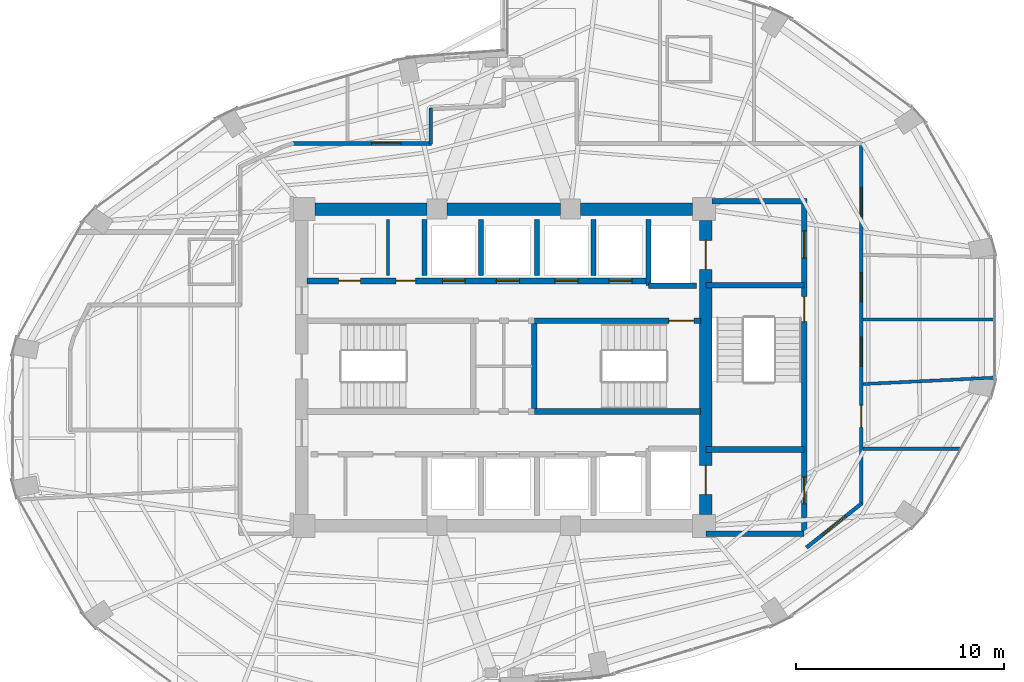
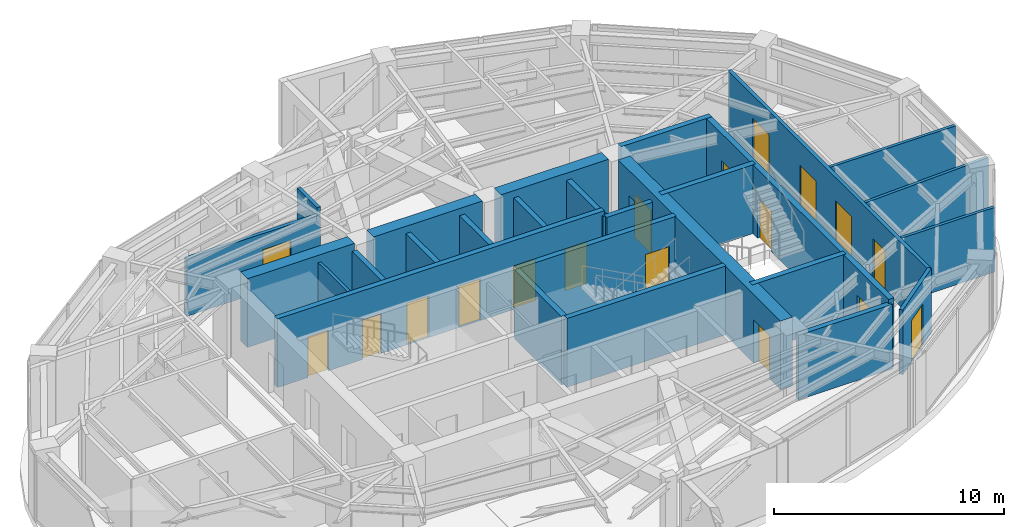
# One storey, part 17 of 20: 27 walls, 18 doors, 18 openings.
"""IFC4 building model written with IfcOpenShell, lengths in metres."""

import ifcopenshell
import ifcopenshell.guid

model = None  # the IFC model being written
_history = None  # IfcOwnerHistory: only IFC2X3 demands one
_inside = {}  # id of a spatial element -> (the spatial element, [elements in it])
_under = {}  # id of a project, library or spatial element -> (it, [spatial elements below it])
_declared = {}  # id of a project -> (the project, [libraries it declares])
_typed = {}  # id of a type object -> (the type object, [elements of that type])
_made_of = {}  # id of a material, layer set ... -> (it, [elements and type objects made of it])


def new_model(schema):
    """Start an empty IFC model of exactly this schema.

    Asked for "IFC4X3", IfcOpenShell would pick the latest addendum, in which some entities
    have other attributes; the version numbers below select the first issue.
    IFC2X3 requires an IfcOwnerHistory on every rooted entity: one is made here for all.
    """
    global model, _history
    if schema == "IFC4X3":
        model = ifcopenshell.file(schema_version=(4, 3, 0, 0))
    else:
        model = ifcopenshell.file(schema=schema)
    _inside.clear()
    _under.clear()
    _declared.clear()
    _typed.clear()
    _made_of.clear()
    _history = None
    if model.schema == "IFC2X3":
        org = make("IfcOrganization", Name="unknown")
        user = make(
            "IfcPersonAndOrganization",
            ThePerson=make("IfcPerson", FamilyName="unknown"),
            TheOrganization=org,
        )
        app = make(
            "IfcApplication",
            ApplicationDeveloper=org,
            Version="unknown",
            ApplicationFullName="unknown",
            ApplicationIdentifier="unknown",
        )
        _history = make(
            "IfcOwnerHistory",
            OwningUser=user,
            OwningApplication=app,
            ChangeAction="ADDED",
            CreationDate=0,
        )
    return model


def make(cls, **values):
    """One entity of the class cls with the attributes given. An attribute that is None is left unset."""
    return model.create_entity(
        cls, **{name: value for name, value in values.items() if value is not None}
    )


def rooted(cls, **values):
    """An entity with a GlobalId (a new one), such as an element, a storey or a relation."""
    return make(cls, GlobalId=ifcopenshell.guid.new(), OwnerHistory=_history, **values)


def si_unit(unit_type, name, prefix=None):
    """IfcSIUnit, for example si_unit("LENGTHUNIT", "METRE", prefix="MILLI")."""
    return make("IfcSIUnit", UnitType=unit_type, Prefix=prefix, Name=name)


def assignment(units):
    """IfcUnitAssignment: the units of a project."""
    return None if units is None else make("IfcUnitAssignment", Units=units)


def point(xyz):
    """IfcCartesianPoint."""
    return None if xyz is None else make("IfcCartesianPoint", Coordinates=xyz)


def direction(xyz):
    """IfcDirection."""
    return None if xyz is None else make("IfcDirection", DirectionRatios=xyz)


def frame(location, z_axis=None, x_axis=None):
    """IfcAxis2Placement3D, a coordinate frame: its origin and axes. An axis left out is left unset."""
    return make(
        "IfcAxis2Placement3D",
        Location=point(location),
        Axis=direction(z_axis),
        RefDirection=direction(x_axis),
    )


def frame_2d(location, x_axis=None):
    """IfcAxis2Placement2D, a coordinate frame in the plane: its origin and x axis."""
    return make(
        "IfcAxis2Placement2D", Location=point(location), RefDirection=direction(x_axis)
    )


def origin():
    """The frame at (0, 0, 0) with its axes left unset."""
    return frame((0.0, 0.0, 0.0))


def place(relative_to, where):
    """IfcLocalPlacement: puts the frame where relative to a parent placement (None: the world)."""
    return make(
        "IfcLocalPlacement", PlacementRelTo=relative_to, RelativePlacement=where
    )


def context(
    kind, dimensions, precision=None, world=None, true_north=None, identifier=None
):
    """IfcGeometricRepresentationContext, for example the 3D "Model" context."""
    return make(
        "IfcGeometricRepresentationContext",
        ContextIdentifier=identifier,
        ContextType=kind,
        CoordinateSpaceDimension=dimensions,
        Precision=precision,
        WorldCoordinateSystem=world,
        TrueNorth=true_north,
    )


def subcontext(parent, identifier, kind, view, scale=None):
    """IfcGeometricRepresentationSubContext, for example "Body" below "Model"."""
    return make(
        "IfcGeometricRepresentationSubContext",
        ContextIdentifier=identifier,
        ContextType=kind,
        ParentContext=parent,
        TargetScale=scale,
        TargetView=view,
    )


def project(units=None, contexts=None):
    """IfcProject with its units and contexts."""
    return rooted(
        "IfcProject",
        Name="project",
        RepresentationContexts=contexts,
        UnitsInContext=assignment(units),
    )


def spatial(cls, under=None, at=None, **own):
    """A site, building, storey or space (cls), placed at a placement, below another one or the project."""
    s = rooted(cls, ObjectPlacement=at, **own)
    if under is not None:
        _under.setdefault(under.id(), (under, []))[1].append(s)
    return s


def profile(cls, at=None, kind="AREA", **sizes):
    """A parametric profile (cls). Its sizes go by their IFC names, for example OverallWidth=200.0."""
    return make(cls, ProfileType=kind, Position=at, **sizes)


def rectangle(**sizes):
    """IfcRectangleProfileDef."""
    return profile("IfcRectangleProfileDef", **sizes)


def extrude(swept, where, along, depth):
    """IfcExtrudedAreaSolid: the profile swept, set in the frame where, extruded along a direction by depth."""
    return make(
        "IfcExtrudedAreaSolid",
        SweptArea=swept,
        Position=where,
        ExtrudedDirection=direction(along),
        Depth=depth,
    )


def shape(context_of_items, identifier, shape_type, items):
    """IfcShapeRepresentation: the items that make up one representation, for example the "Body"."""
    return make(
        "IfcShapeRepresentation",
        ContextOfItems=context_of_items,
        RepresentationIdentifier=identifier,
        RepresentationType=shape_type,
        Items=items,
    )


def material(Name=None, Category=None):
    """IfcMaterial."""
    return make("IfcMaterial", Name=Name, Category=Category)


def layer(
    of_material, thickness, ventilated=None, Name=None, Category=None, Priority=None
):
    """IfcMaterialLayer: one layer of a wall or slab, of a material (None: an air gap)."""
    return make(
        "IfcMaterialLayer",
        Material=of_material,
        LayerThickness=thickness,
        IsVentilated=ventilated,
        Name=Name,
        Category=Category,
        Priority=Priority,
    )


def layer_set(layers, Name=None):
    """IfcMaterialLayerSet."""
    return make("IfcMaterialLayerSet", MaterialLayers=layers, LayerSetName=Name)


def made_of(thing, what):
    """Note that an element or type object is made of a material, layer set ...; save() writes the relation."""
    if what is not None:
        _made_of.setdefault(what.id(), (what, []))[1].append(thing)
    return thing


def type_object(cls, material=None, **own):
    """A type object (cls), such as IfcWallType, which elements share."""
    return made_of(rooted(cls, **own), material)


def element(
    cls,
    number,
    at=None,
    inside=None,
    cuts=None,
    type_object=None,
    material=None,
    context=None,
    identifier="Body",
    shape_type=None,
    held_by="IfcProductDefinitionShape",
    body=None,
    shapes=None,
    **own,
):
    """One element of the class cls, such as IfcWall. Its Tag is "e" and its number.

    at: its placement. inside: the storey or other place that contains it. cuts: it is an
    opening in that element (IfcRelVoidsElement). A single representation is given by context,
    identifier, shape_type and body (its items); several are given by shapes. held_by: the class
    of the entity that holds the representations. save() writes the other relations.
    """
    e = rooted(cls, Tag="e%d" % number, ObjectPlacement=at, **own)
    if body is not None:
        shapes = [shape(context, identifier, shape_type, body)]
    if shapes is not None:
        e.Representation = make(held_by, Representations=shapes)
    if inside is not None:
        _inside.setdefault(inside.id(), (inside, []))[1].append(e)
    if cuts is not None:
        rooted(
            "IfcRelVoidsElement", RelatingBuildingElement=cuts, RelatedOpeningElement=e
        )
    if type_object is not None:
        _typed.setdefault(type_object.id(), (type_object, []))[1].append(e)
    return made_of(e, material)


def fill(opening, filler):
    """IfcRelFillsElement: the door or window that sits in an opening."""
    return rooted(
        "IfcRelFillsElement",
        RelatingOpeningElement=opening,
        RelatedBuildingElement=filler,
    )


def aggregate(whole, parts):
    """IfcRelAggregates: a whole, such as a stair, and the parts it consists of."""
    return rooted("IfcRelAggregates", RelatingObject=whole, RelatedObjects=parts)


def save(model, path):
    """Write the relations noted so far, then the file.

    IfcRelAggregates (storeys below a building ...), IfcRelContainedInSpatialStructure (elements
    in a storey), IfcRelDefinesByType, IfcRelAssociatesMaterial and IfcRelDeclares: one each for
    every whole, place, type object, material and project.
    """
    for whole, parts in _under.values():
        aggregate(whole, parts)
    for where, things in _inside.values():
        rooted(
            "IfcRelContainedInSpatialStructure",
            RelatedElements=things,
            RelatingStructure=where,
        )
    for kind, things in _typed.values():
        rooted("IfcRelDefinesByType", RelatedObjects=things, RelatingType=kind)
    for what, things in _made_of.values():
        rooted("IfcRelAssociatesMaterial", RelatedObjects=things, RelatingMaterial=what)
    for by, libraries in _declared.values():
        rooted("IfcRelDeclares", RelatingContext=by, RelatedDefinitions=libraries)
    model.write(path)


model = new_model("IFC4")

# Units and contexts
model_context = context("Model", 3, precision=1e-05, world=origin(), true_north=direction((0.0, 1.0)))
body_context = subcontext(model_context, "Body", "Model", "MODEL_VIEW")
ifc_project = project(units=[si_unit("LENGTHUNIT", "METRE"), si_unit("AREAUNIT", "SQUARE_METRE"), si_unit("VOLUMEUNIT", "CUBIC_METRE"), si_unit("PLANEANGLEUNIT", "RADIAN"), si_unit("MASSUNIT", "GRAM", prefix="KILO")], contexts=[model_context])

# Site, building, storey
site_placement = place(None, origin())
site = spatial("IfcSite", under=ifc_project, at=site_placement, CompositionType="ELEMENT")
building_placement = place(site_placement, origin())
building = spatial("IfcBuilding", under=site, at=building_placement, Name="Lazwardi Medical Tower", CompositionType="ELEMENT")
storey_placement = place(building_placement, frame((0.0, 0.0, 138.2880859375)))
storey = spatial("IfcBuildingStorey", under=building, at=storey_placement, Name="L35", CompositionType="ELEMENT", Elevation=138.2880859375)

# Wall, opening, door
ifc_material_1 = material(Name="Fire-rated gypsum board on steel stud", Category="steel")
ifc_layer_1 = layer(ifc_material_1, 0.179931640625)
ifc_layer_set_1 = layer_set([ifc_layer_1], Name="Fire-rated gypsum board on steel stud")
wall_type_1 = type_object("IfcWallType", Name="WL-COR-180", PredefinedType="PARTITIONING", material=ifc_layer_set_1)
wall_1_placement = place(storey_placement, frame((25.842529296875, 38.75, 0.0), z_axis=(0.0, 0.0, 1.0), x_axis=(1.0, 0.0, 0.0)))
wall_1 = element("IfcWall", 1, at=wall_1_placement, inside=storey, type_object=wall_type_1, Name="L35 Corridor partition 6", PredefinedType="PARTITIONING", context=body_context, shape_type="SweptSolid", body=[
    extrude(rectangle(XDim=6.697509765625, YDim=0.179931640625, at=frame_2d((3.3486328125, 0.0))), origin(), (0.0, 0.0, 1.0), 3.052978515625),
])
opening_1_placement = place(wall_1_placement, frame((3.818359375, 0.0, 0.0)))
opening_1 = element("IfcOpeningElement", 2, at=opening_1_placement, cuts=wall_1, Name="Opening D-L35-022", PredefinedType="OPENING", context=body_context, shape_type="SweptSolid", body=[
    extrude(rectangle(XDim=1.39990234375, YDim=2.199951171875, at=frame_2d((0.699951171875, 1.10009765625))), frame((0.0, 0.099853515625, 0.0), z_axis=(0.0, -1.0, 0.0), x_axis=(1.0, 0.0, 0.0)), (0.0, 0.0, 1.0), 0.199951171875),
])
ifc_material_2 = material(Name="Anti-microbial laminate hospital leaf")
door_type_1 = type_object("IfcDoorType", Name="DR-BED-1400", OperationType="NOTDEFINED", PredefinedType="DOOR", material=ifc_material_2)
door_1_placement = place(opening_1_placement, origin())
door_1 = element("IfcDoor", 3, at=door_1_placement, inside=storey, type_object=door_type_1, Name="L35 Inpatient Ward Door 08", OperationType="SINGLE_SWING_LEFT", OverallHeight=2.199951171875, OverallWidth=1.39990234375, PredefinedType="DOOR", context=body_context, shape_type="SweptSolid", body=[
    extrude(rectangle(XDim=1.39990234375, YDim=2.199951171875, at=frame_2d((0.699951171875, 1.10009765625))), frame((0.0, 0.02490234375, 0.0), z_axis=(0.0, -1.0, 0.0), x_axis=(1.0, 0.0, 0.0)), (0.0, 0.0, 1.0), 0.050048828125),
])
fill(opening_1, door_1)

# Wall
wall_2_placement = place(storey_placement, frame((32.5, 38.7099609375, 0.0), z_axis=(0.0, 0.0, 1.0), x_axis=(0.0, 1.0, 0.0)))
element("IfcWall", 4, at=wall_2_placement, inside=storey, type_object=wall_type_1, Name="L35 Corridor partition 7", PredefinedType="PARTITIONING", context=body_context, shape_type="SweptSolid", body=[
    extrude(rectangle(XDim=1.729248046875, YDim=0.179931640625, at=frame_2d((0.86474609375, 0.0))), origin(), (0.0, 0.0, 1.0), 3.427978515625),
])

# Wall, openings, doors
wall_3_placement = place(storey_placement, frame((53.14990234375, 38.7900390625, 0.0), z_axis=(0.0, 0.0, 1.0), x_axis=(0.0, -1.0, 0.0)))
wall_3 = element("IfcWall", 5, at=wall_3_placement, inside=storey, type_object=wall_type_1, Name="L35 Corridor partition 13", PredefinedType="PARTITIONING", context=body_context, shape_type="SweptSolid", body=[
    extrude(rectangle(XDim=17.374267578125, YDim=0.179931640625, at=frame_2d((8.68701171875, 0.0))), origin(), (0.0, 0.0, 1.0), 3.427978515625),
])
opening_2_placement = place(wall_3_placement, frame((12.613037109375, 0.0, 0.0)))
opening_2 = element("IfcOpeningElement", 6, at=opening_2_placement, cuts=wall_3, Name="Opening D-L35-017", PredefinedType="OPENING", context=body_context, shape_type="SweptSolid", body=[
    extrude(rectangle(XDim=1.050048828125, YDim=2.14990234375, at=frame_2d((0.52490234375, 1.074951171875))), frame((0.0, 0.099853515625, 0.0), z_axis=(0.0, -1.0, 0.0), x_axis=(1.0, 0.0, 0.0)), (0.0, 0.0, 1.0), 0.199951171875),
])
opening_3_placement = place(wall_3_placement, frame((9.338134765625, 0.0, 0.0)))
opening_3 = element("IfcOpeningElement", 7, at=opening_3_placement, cuts=wall_3, Name="Opening D-L35-018", PredefinedType="OPENING", context=body_context, shape_type="SweptSolid", body=[
    extrude(rectangle(XDim=1.39990234375, YDim=2.199951171875, at=frame_2d((0.699951171875, 1.10009765625))), frame((0.0, 0.099853515625, 0.0), z_axis=(0.0, -1.0, 0.0), x_axis=(1.0, 0.0, 0.0)), (0.0, 0.0, 1.0), 0.199951171875),
])
opening_4_placement = place(wall_3_placement, frame((6.24072265625, 0.0, 0.0)))
opening_4 = element("IfcOpeningElement", 8, at=opening_4_placement, cuts=wall_3, Name="Opening D-L35-019", PredefinedType="OPENING", context=body_context, shape_type="SweptSolid", body=[
    extrude(rectangle(XDim=1.39990234375, YDim=2.199951171875, at=frame_2d((0.699951171875, 1.10009765625))), frame((0.0, 0.099853515625, 0.0), z_axis=(0.0, -1.0, 0.0), x_axis=(1.0, 0.0, 0.0)), (0.0, 0.0, 1.0), 0.199951171875),
])
opening_5_placement = place(wall_3_placement, frame((2.15478515625, 0.0, 0.0)))
opening_5 = element("IfcOpeningElement", 9, at=opening_5_placement, cuts=wall_3, Name="Opening D-L35-020", PredefinedType="OPENING", context=body_context, shape_type="SweptSolid", body=[
    extrude(rectangle(XDim=1.39990234375, YDim=2.199951171875, at=frame_2d((0.699951171875, 1.10009765625))), frame((0.0, 0.099853515625, 0.0), z_axis=(0.0, -1.0, 0.0), x_axis=(1.0, 0.0, 0.0)), (0.0, 0.0, 1.0), 0.199951171875),
])
door_2_placement = place(opening_3_placement, origin())
door_2 = element("IfcDoor", 10, at=door_2_placement, inside=storey, type_object=door_type_1, Name="L35 Rehabilitation Gymnasium Door 04", OperationType="SINGLE_SWING_RIGHT", OverallHeight=2.199951171875, OverallWidth=1.39990234375, PredefinedType="DOOR", context=body_context, shape_type="SweptSolid", body=[
    extrude(rectangle(XDim=1.39990234375, YDim=2.199951171875, at=frame_2d((0.699951171875, 1.10009765625))), frame((0.0, 0.02490234375, 0.0), z_axis=(0.0, -1.0, 0.0), x_axis=(1.0, 0.0, 0.0)), (0.0, 0.0, 1.0), 0.050048828125),
])
fill(opening_3, door_2)
door_3_placement = place(opening_4_placement, origin())
door_3 = element("IfcDoor", 11, at=door_3_placement, inside=storey, type_object=door_type_1, Name="L35 Outpatient Clinic Door 05", OperationType="SINGLE_SWING_LEFT", OverallHeight=2.199951171875, OverallWidth=1.39990234375, PredefinedType="DOOR", context=body_context, shape_type="SweptSolid", body=[
    extrude(rectangle(XDim=1.39990234375, YDim=2.199951171875, at=frame_2d((0.699951171875, 1.10009765625))), frame((0.0, 0.02490234375, 0.0), z_axis=(0.0, -1.0, 0.0), x_axis=(1.0, 0.0, 0.0)), (0.0, 0.0, 1.0), 0.050048828125),
])
fill(opening_4, door_3)
door_4_placement = place(opening_5_placement, origin())
door_4 = element("IfcDoor", 12, at=door_4_placement, inside=storey, type_object=door_type_1, Name="L35 Inpatient Ward Door 06", OperationType="SINGLE_SWING_RIGHT", OverallHeight=2.199951171875, OverallWidth=1.39990234375, PredefinedType="DOOR", context=body_context, shape_type="SweptSolid", body=[
    extrude(rectangle(XDim=1.39990234375, YDim=2.199951171875, at=frame_2d((0.699951171875, 1.10009765625))), frame((0.0, 0.02490234375, 0.0), z_axis=(0.0, -1.0, 0.0), x_axis=(1.0, 0.0, 0.0)), (0.0, 0.0, 1.0), 0.050048828125),
])
fill(opening_5, door_4)
door_type_2 = type_object("IfcDoorType", Name="DR-CLN-1050", OperationType="NOTDEFINED", PredefinedType="DOOR", material=ifc_material_2)
door_5_placement = place(opening_2_placement, origin())
door_5 = element("IfcDoor", 13, at=door_5_placement, inside=storey, type_object=door_type_2, Name="L35 Ward Dietetic Pantry Door 03", OperationType="SINGLE_SWING_LEFT", OverallHeight=2.14990234375, OverallWidth=1.050048828125, PredefinedType="DOOR", context=body_context, shape_type="SweptSolid", body=[
    extrude(rectangle(XDim=1.050048828125, YDim=2.14990234375, at=frame_2d((0.52490234375, 1.074951171875))), frame((0.0, 0.02490234375, 0.0), z_axis=(0.0, -1.0, 0.0), x_axis=(1.0, 0.0, 0.0)), (0.0, 0.0, 1.0), 0.050048828125),
])
fill(opening_2, door_5)

# Wall, opening, door
wall_4_placement = place(storey_placement, frame((53.181396484375, 21.480712890625, 0.0), z_axis=(0.0, 0.0, 1.0), x_axis=(-0.781420737726, -0.624004511724, 0.0)))
wall_4 = element("IfcWall", 14, at=wall_4_placement, inside=storey, type_object=wall_type_1, Name="L35 Corridor partition 14", PredefinedType="PARTITIONING", context=body_context, shape_type="SweptSolid", body=[
    extrude(rectangle(XDim=3.407470703125, YDim=0.179931640625, at=frame_2d((1.70361328125, 0.0))), origin(), (0.0, 0.0, 1.0), 3.427978515625),
])
opening_6_placement = place(wall_4_placement, frame((1.003662109375, 0.0, 0.0)))
opening_6 = element("IfcOpeningElement", 15, at=opening_6_placement, cuts=wall_4, Name="Opening D-L35-016", PredefinedType="OPENING", context=body_context, shape_type="SweptSolid", body=[
    extrude(rectangle(XDim=1.39990234375, YDim=2.199951171875, at=frame_2d((0.699951171875, 1.10009765625))), frame((0.0, 0.099853515625, 0.0), z_axis=(0.0, -1.0, 0.0), x_axis=(1.0, 0.0, 0.0)), (0.0, 0.0, 1.0), 0.199951171875),
])
door_6_placement = place(opening_6_placement, origin())
door_6 = element("IfcDoor", 16, at=door_6_placement, inside=storey, type_object=door_type_1, Name="L35 Patient Day Lounge Door 02", OperationType="SINGLE_SWING_RIGHT", OverallHeight=2.199951171875, OverallWidth=1.39990234375, PredefinedType="DOOR", context=body_context, shape_type="SweptSolid", body=[
    extrude(rectangle(XDim=1.39990234375, YDim=2.199951171875, at=frame_2d((0.699951171875, 1.10009765625))), frame((0.0, 0.02490234375, 0.0), z_axis=(0.0, -1.0, 0.0), x_axis=(1.0, 0.0, 0.0)), (0.0, 0.0, 1.0), 0.050048828125),
])
fill(opening_6, door_6)

# Wall, openings, doors
ifc_material_3 = material(Name="Concrete C60/75", Category="concrete")
ifc_layer_2 = layer(ifc_material_3, 0.60009765625)
ifc_layer_set_2 = layer_set([ifc_layer_2], Name="Concrete C60/75")
wall_type_2 = type_object("IfcWallType", Name="WL-CORE-600", PredefinedType="SHEAR", material=ifc_layer_set_2)
wall_5_placement = place(storey_placement, frame((45.699951171875, 20.949951171875, 0.0), z_axis=(0.0, 0.0, 1.0), x_axis=(0.0, 1.0, 0.0)))
wall_5 = element("IfcWall", 17, at=wall_5_placement, inside=storey, type_object=wall_type_2, Name="Core wall CW-S3 east L35", PredefinedType="SHEAR", context=body_context, shape_type="SweptSolid", body=[
    extrude(rectangle(XDim=14.10009765625, YDim=0.60009765625, at=frame_2d((7.050048828125, 0.0))), origin(), (0.0, 0.0, 1.0), 3.64794921875),
])
opening_7_placement = place(wall_5_placement, frame((11.75, 0.0, 0.0)))
opening_7 = element("IfcOpeningElement", 18, at=opening_7_placement, cuts=wall_5, Name="Opening LD-L35-001", PredefinedType="OPENING", context=body_context, shape_type="SweptSolid", body=[
    extrude(rectangle(XDim=1.39990234375, YDim=2.300048828125, at=frame_2d((0.699951171875, 1.14990234375))), frame((0.0, 0.31005859375, 0.0), z_axis=(0.0, -1.0, 0.0), x_axis=(1.0, 0.0, 0.0)), (0.0, 0.0, 1.0), 0.6201171875),
])
opening_8_placement = place(wall_5_placement, frame((0.949951171875, 0.0, 0.0)))
opening_8 = element("IfcOpeningElement", 19, at=opening_8_placement, cuts=wall_5, Name="Opening LD-L35-002", PredefinedType="OPENING", context=body_context, shape_type="SweptSolid", body=[
    extrude(rectangle(XDim=1.39990234375, YDim=2.300048828125, at=frame_2d((0.699951171875, 1.14990234375))), frame((0.0, 0.31005859375, 0.0), z_axis=(0.0, -1.0, 0.0), x_axis=(1.0, 0.0, 0.0)), (0.0, 0.0, 1.0), 0.6201171875),
])
ifc_material_4 = material(Name="Brushed stainless steel bed-lift landing door", Category="steel")
door_type_3 = type_object("IfcDoorType", Name="DR-LFT-1400", OperationType="NOTDEFINED", PredefinedType="DOOR", material=ifc_material_4)
door_7_placement = place(opening_7_placement, origin())
door_7 = element("IfcDoor", 20, at=door_7_placement, inside=storey, type_object=door_type_3, Name="L35 Lift Landing Door FL-01", OperationType="SLIDING_TO_LEFT", OverallHeight=2.300048828125, OverallWidth=1.39990234375, PredefinedType="DOOR", context=body_context, shape_type="SweptSolid", body=[
    extrude(rectangle(XDim=1.39990234375, YDim=2.300048828125, at=frame_2d((0.699951171875, 1.14990234375))), frame((0.0, 0.02490234375, 0.0), z_axis=(0.0, -1.0, 0.0), x_axis=(1.0, 0.0, 0.0)), (0.0, 0.0, 1.0), 0.050048828125),
])
fill(opening_7, door_7)
door_8_placement = place(opening_8_placement, origin())
door_8 = element("IfcDoor", 21, at=door_8_placement, inside=storey, type_object=door_type_3, Name="L35 Lift Landing Door FL-02", OperationType="SLIDING_TO_LEFT", OverallHeight=2.300048828125, OverallWidth=1.39990234375, PredefinedType="DOOR", context=body_context, shape_type="SweptSolid", body=[
    extrude(rectangle(XDim=1.39990234375, YDim=2.300048828125, at=frame_2d((0.699951171875, 1.14990234375))), frame((0.0, 0.02490234375, 0.0), z_axis=(0.0, -1.0, 0.0), x_axis=(1.0, 0.0, 0.0)), (0.0, 0.0, 1.0), 0.050048828125),
])
fill(opening_8, door_8)

# Walls
wall_6_placement = place(storey_placement, frame((26.949951171875, 35.60009765625, 0.0), z_axis=(0.0, 0.0, 1.0), x_axis=(1.0, 0.0, 0.0)))
element("IfcWall", 22, at=wall_6_placement, inside=storey, type_object=wall_type_2, Name="Core wall CW-S3 N1 L35", PredefinedType="SHEAR", context=body_context, shape_type="SweptSolid", body=[
    extrude(rectangle(XDim=5.375, YDim=0.60009765625, at=frame_2d((2.6875, 0.0))), origin(), (0.0, 0.0, 1.0), 3.64794921875),
])
wall_7_placement = place(storey_placement, frame((33.27490234375, 35.60009765625, 0.0), z_axis=(0.0, 0.0, 1.0), x_axis=(1.0, 0.0, 0.0)))
element("IfcWall", 23, at=wall_7_placement, inside=storey, type_object=wall_type_2, Name="Core wall CW-S3 N2 L35", PredefinedType="SHEAR", context=body_context, shape_type="SweptSolid", body=[
    extrude(rectangle(XDim=5.4501953125, YDim=0.60009765625, at=frame_2d((2.72509765625, 0.0))), origin(), (0.0, 0.0, 1.0), 3.64794921875),
])
wall_8_placement = place(storey_placement, frame((39.675048828125, 35.60009765625, 0.0), z_axis=(0.0, 0.0, 1.0), x_axis=(1.0, 0.0, 0.0)))
element("IfcWall", 24, at=wall_8_placement, inside=storey, type_object=wall_type_2, Name="Core wall CW-S3 N3 L35", PredefinedType="SHEAR", context=body_context, shape_type="SweptSolid", body=[
    extrude(rectangle(XDim=5.375, YDim=0.60009765625, at=frame_2d((2.6875, 0.0))), origin(), (0.0, 0.0, 1.0), 3.64794921875),
])
ifc_material_5 = material(Name="Autoclaved aerated concrete blockwork", Category="masonry")
ifc_layer_3 = layer(ifc_material_5, 0.25)
ifc_layer_set_3 = layer_set([ifc_layer_3], Name="Autoclaved aerated concrete blockwork")
wall_type_3 = type_object("IfcWallType", Name="WL-SHAFT-250", PredefinedType="SOLIDWALL", material=ifc_layer_set_3)
wall_9_placement = place(storey_placement, frame((42.949951171875, 31.919921875, 0.0), z_axis=(0.0, 0.0, 1.0), x_axis=(0.0, 1.0, 0.0)))
element("IfcWall", 25, at=wall_9_placement, inside=storey, type_object=wall_type_3, Name="L35 FL-01 West shaft wall", PredefinedType="SOLIDWALL", context=body_context, shape_type="SweptSolid", body=[
    extrude(rectangle(XDim=3.18017578125, YDim=0.25, at=frame_2d((1.590087890625, 0.0))), origin(), (0.0, 0.0, 1.0), 3.427978515625),
])
wall_10_placement = place(storey_placement, frame((42.949951171875, 31.919921875, 0.0), z_axis=(0.0, 0.0, 1.0), x_axis=(1.0, 0.0, 0.0)))
element("IfcWall", 26, at=wall_10_placement, inside=storey, type_object=wall_type_3, Name="L35 FL-01 South shaft wall", PredefinedType="SOLIDWALL", context=body_context, shape_type="SweptSolid", body=[
    extrude(rectangle(XDim=2.300048828125, YDim=0.25, at=frame_2d((1.14990234375, 0.0))), origin(), (0.0, 0.0, 1.0), 3.427978515625),
])
for number, where, z_axis, x_axis, name in (
    (27, (32.199951171875, 32.419921875, 0.0), (0.0, 0.0, 1.0), (0.0, 1.0, 0.0), "L35 North hoistway divider"),
    (28, (34.89990234375, 32.419921875, 0.0), (0.0, 0.0, 1.0), (0.0, 1.0, 0.0), "L35 North hoistway divider"),
    (29, (37.60009765625, 32.419921875, 0.0), (0.0, 0.0, 1.0), (0.0, 1.0, 0.0), "L35 North hoistway divider"),
    (30, (40.300048828125, 32.419921875, 0.0), (0.0, 0.0, 1.0), (0.0, 1.0, 0.0), "L35 North hoistway divider"),
):
    element("IfcWall", number, at=place(storey_placement, frame(where, z_axis=z_axis, x_axis=x_axis)), inside=storey, type_object=wall_type_3, Name=name, PredefinedType="SOLIDWALL", context=body_context, shape_type="SweptSolid", body=[
        extrude(rectangle(XDim=2.68017578125, YDim=0.25, at=frame_2d((1.340087890625, 0.0))), origin(), (0.0, 0.0, 1.0), 3.427978515625),
    ])
wall_11_placement = place(storey_placement, frame((45.699951171875, 20.02001953125, 0.0), z_axis=(0.0, 0.0, 1.0), x_axis=(1.0, 0.0, 0.0)))
element("IfcWall", 31, at=wall_11_placement, inside=storey, type_object=wall_type_3, Name="L35 FFL-S South wall", PredefinedType="SOLIDWALL", context=body_context, shape_type="SweptSolid", body=[
    extrude(rectangle(XDim=4.715087890625, YDim=0.25, at=frame_2d((2.357421875, 0.0))), origin(), (0.0, 0.0, 1.0), 3.427978515625),
])

# Wall, opening, door
ifc_material_6 = material(Name="Concrete C50/60", Category="concrete")
ifc_layer_4 = layer(ifc_material_6, 0.27001953125)
ifc_layer_set_4 = layer_set([ifc_layer_4], Name="Concrete C50/60")
wall_type_4 = type_object("IfcWallType", Name="WL-STR-250", PredefinedType="SHEAR", material=ifc_layer_set_4)
wall_12_placement = place(storey_placement, frame((37.465087890625, 30.235107421875, 0.0), z_axis=(0.0, 0.0, 1.0), x_axis=(1.0, 0.0, 0.0)))
wall_12 = element("IfcWall", 32, at=wall_12_placement, inside=storey, type_object=wall_type_4, Name="L35 ST2 North shear shaft wall SW-S1", PredefinedType="SHEAR", context=body_context, shape_type="SweptSolid", body=[
    extrude(rectangle(XDim=7.98486328125, YDim=0.27001953125, at=frame_2d((3.992431640625, 0.0))), origin(), (0.0, 0.0, 1.0), 3.64794921875),
])
opening_9_placement = place(wall_12_placement, frame((6.455078125, 0.0, 0.0)))
opening_9 = element("IfcOpeningElement", 33, at=opening_9_placement, cuts=wall_12, Name="Opening D-L35-025", PredefinedType="OPENING", context=body_context, shape_type="SweptSolid", body=[
    extrude(rectangle(XDim=1.199951171875, YDim=2.14990234375, at=frame_2d((0.60009765625, 1.074951171875))), frame((0.0, 0.14501953125, 0.0), z_axis=(0.0, -1.0, 0.0), x_axis=(1.0, 0.0, 0.0)), (0.0, 0.0, 1.0), 0.2900390625),
])
ifc_material_7 = material(Name="Fire-rated steel leaf and frame", Category="steel")
door_type_4 = type_object("IfcDoorType", Name="DR-STR-1200", OperationType="NOTDEFINED", PredefinedType="DOOR", material=ifc_material_7)
door_9_placement = place(opening_9_placement, origin())
door_9 = element("IfcDoor", 34, at=door_9_placement, inside=storey, type_object=door_type_4, Name="L35 Exit Stair ST2 Door", OperationType="SINGLE_SWING_RIGHT", OverallHeight=2.14990234375, OverallWidth=1.199951171875, PredefinedType="DOOR", context=body_context, shape_type="SweptSolid", body=[
    extrude(rectangle(XDim=1.199951171875, YDim=2.14990234375, at=frame_2d((0.60009765625, 1.074951171875))), frame((0.0, 0.02490234375, 0.0), z_axis=(0.0, -1.0, 0.0), x_axis=(1.0, 0.0, 0.0)), (0.0, 0.0, 1.0), 0.050048828125),
])
fill(opening_9, door_9)

# Walls
wall_13_placement = place(storey_placement, frame((37.465087890625, 25.885009765625, 0.0), z_axis=(0.0, 0.0, 1.0), x_axis=(1.0, 0.0, 0.0)))
element("IfcWall", 35, at=wall_13_placement, inside=storey, type_object=wall_type_4, Name="L35 ST2 South shear shaft wall SW-S1", PredefinedType="SHEAR", context=body_context, shape_type="SweptSolid", body=[
    extrude(rectangle(XDim=7.98486328125, YDim=0.27001953125, at=frame_2d((3.992431640625, 0.0))), origin(), (0.0, 0.0, 1.0), 3.64794921875),
])
wall_14_placement = place(storey_placement, frame((37.465087890625, 26.02001953125, 0.0), z_axis=(0.0, 0.0, 1.0), x_axis=(0.0, 1.0, 0.0)))
element("IfcWall", 36, at=wall_14_placement, inside=storey, type_object=wall_type_4, Name="L35 ST2 West shear shaft wall SW-S1", PredefinedType="SHEAR", context=body_context, shape_type="SweptSolid", body=[
    extrude(rectangle(XDim=4.080078125, YDim=0.27001953125, at=frame_2d((2.0400390625, 0.0))), origin(), (0.0, 0.0, 1.0), 3.64794921875),
])

# Wall, openings, doors
wall_15_placement = place(storey_placement, frame((26.550048828125, 32.14990234375, 0.0), z_axis=(0.0, 0.0, 1.0), x_axis=(1.0, 0.0, 0.0)))
wall_15 = element("IfcWall", 37, at=wall_15_placement, inside=storey, type_object=wall_type_4, Name="L35 North lift bank shear wall SW-S1", PredefinedType="SHEAR", context=body_context, shape_type="SweptSolid", body=[
    extrude(rectangle(XDim=16.39990234375, YDim=0.27001953125, at=frame_2d((8.199951171875, 0.0))), origin(), (0.0, 0.0, 1.0), 3.64794921875),
])
opening_10_placement = place(wall_15_placement, frame((1.52490234375, 0.0, 0.0)))
opening_10 = element("IfcOpeningElement", 38, at=opening_10_placement, cuts=wall_15, Name="Opening D-L35-007", PredefinedType="OPENING", context=body_context, shape_type="SweptSolid", body=[
    extrude(rectangle(XDim=1.050048828125, YDim=2.14990234375, at=frame_2d((0.52490234375, 1.074951171875))), frame((0.0, 0.14501953125, 0.0), z_axis=(0.0, -1.0, 0.0), x_axis=(1.0, 0.0, 0.0)), (0.0, 0.0, 1.0), 0.2900390625),
])
opening_11_placement = place(wall_15_placement, frame((4.27490234375, 0.0, 0.0)))
opening_11 = element("IfcOpeningElement", 39, at=opening_11_placement, cuts=wall_15, Name="Opening D-L35-008", PredefinedType="OPENING", context=body_context, shape_type="SweptSolid", body=[
    extrude(rectangle(XDim=0.949951171875, YDim=2.10009765625, at=frame_2d((0.47509765625, 1.050048828125))), frame((0.0, 0.14501953125, 0.0), z_axis=(0.0, -1.0, 0.0), x_axis=(1.0, 0.0, 0.0)), (0.0, 0.0, 1.0), 0.2900390625),
])
opening_12_placement = place(wall_15_placement, frame((6.5, 0.0, 0.0)))
opening_12 = element("IfcOpeningElement", 40, at=opening_12_placement, cuts=wall_15, Name="Opening LD-L35-004", PredefinedType="OPENING", context=body_context, shape_type="SweptSolid", body=[
    extrude(rectangle(XDim=1.10009765625, YDim=2.199951171875, at=frame_2d((0.550048828125, 1.10009765625))), frame((0.0, 0.14501953125, 0.0), z_axis=(0.0, -1.0, 0.0), x_axis=(1.0, 0.0, 0.0)), (0.0, 0.0, 1.0), 0.2900390625),
])
opening_13_placement = place(wall_15_placement, frame((9.10009765625, 0.0, 0.0)))
opening_13 = element("IfcOpeningElement", 41, at=opening_13_placement, cuts=wall_15, Name="Opening LD-L35-005", PredefinedType="OPENING", context=body_context, shape_type="SweptSolid", body=[
    extrude(rectangle(XDim=1.10009765625, YDim=2.199951171875, at=frame_2d((0.550048828125, 1.10009765625))), frame((0.0, 0.14501953125, 0.0), z_axis=(0.0, -1.0, 0.0), x_axis=(1.0, 0.0, 0.0)), (0.0, 0.0, 1.0), 0.2900390625),
])
opening_14_placement = place(wall_15_placement, frame((11.89990234375, 0.0, 0.0)))
opening_14 = element("IfcOpeningElement", 42, at=opening_14_placement, cuts=wall_15, Name="Opening LD-L35-008", PredefinedType="OPENING", context=body_context, shape_type="SweptSolid", body=[
    extrude(rectangle(XDim=1.10009765625, YDim=2.199951171875, at=frame_2d((0.550048828125, 1.10009765625))), frame((0.0, 0.14501953125, 0.0), z_axis=(0.0, -1.0, 0.0), x_axis=(1.0, 0.0, 0.0)), (0.0, 0.0, 1.0), 0.2900390625),
])
opening_15_placement = place(wall_15_placement, frame((14.5, 0.0, 0.0)))
opening_15 = element("IfcOpeningElement", 43, at=opening_15_placement, cuts=wall_15, Name="Opening LD-L35-009", PredefinedType="OPENING", context=body_context, shape_type="SweptSolid", body=[
    extrude(rectangle(XDim=1.10009765625, YDim=2.199951171875, at=frame_2d((0.550048828125, 1.10009765625))), frame((0.0, 0.14501953125, 0.0), z_axis=(0.0, -1.0, 0.0), x_axis=(1.0, 0.0, 0.0)), (0.0, 0.0, 1.0), 0.2900390625),
])
door_10_placement = place(opening_10_placement, origin())
door_10 = element("IfcDoor", 44, at=door_10_placement, inside=storey, type_object=door_type_2, Name="L35 Telemedicine Door", OperationType="SINGLE_SWING_LEFT", OverallHeight=2.14990234375, OverallWidth=1.050048828125, PredefinedType="DOOR", context=body_context, shape_type="SweptSolid", body=[
    extrude(rectangle(XDim=1.050048828125, YDim=2.14990234375, at=frame_2d((0.52490234375, 1.074951171875))), frame((0.0, 0.02490234375, 0.0), z_axis=(0.0, -1.0, 0.0), x_axis=(1.0, 0.0, 0.0)), (0.0, 0.0, 1.0), 0.050048828125),
])
fill(opening_10, door_10)
ifc_material_8 = material(Name="Moisture-resistant laminate door leaf")
door_type_5 = type_object("IfcDoorType", Name="DR-ENS-950", OperationType="NOTDEFINED", PredefinedType="DOOR", material=ifc_material_8)
door_11_placement = place(opening_11_placement, origin())
door_11 = element("IfcDoor", 45, at=door_11_placement, inside=storey, type_object=door_type_5, Name="L35 Staff WC Door", OperationType="SINGLE_SWING_RIGHT", OverallHeight=2.10009765625, OverallWidth=0.949951171875, PredefinedType="DOOR", context=body_context, shape_type="SweptSolid", body=[
    extrude(rectangle(XDim=0.949951171875, YDim=2.10009765625, at=frame_2d((0.47509765625, 1.050048828125))), frame((0.0, 0.02490234375, 0.0), z_axis=(0.0, -1.0, 0.0), x_axis=(1.0, 0.0, 0.0)), (0.0, 0.0, 1.0), 0.050048828125),
])
fill(opening_11, door_11)
ifc_material_9 = material(Name="Brushed bronze stainless steel landing door", Category="steel")
door_type_6 = type_object("IfcDoorType", Name="DR-LFT-1100", OperationType="NOTDEFINED", PredefinedType="DOOR", material=ifc_material_9)
door_12_placement = place(opening_12_placement, origin())
door_12 = element("IfcDoor", 46, at=door_12_placement, inside=storey, type_object=door_type_6, Name="L35 Lift Landing Door PL-05", OperationType="SLIDING_TO_LEFT", OverallHeight=2.199951171875, OverallWidth=1.10009765625, PredefinedType="DOOR", context=body_context, shape_type="SweptSolid", body=[
    extrude(rectangle(XDim=1.10009765625, YDim=2.199951171875, at=frame_2d((0.550048828125, 1.10009765625))), frame((0.0, 0.02490234375, 0.0), z_axis=(0.0, -1.0, 0.0), x_axis=(1.0, 0.0, 0.0)), (0.0, 0.0, 1.0), 0.050048828125),
])
fill(opening_12, door_12)
door_13_placement = place(opening_13_placement, origin())
door_13 = element("IfcDoor", 47, at=door_13_placement, inside=storey, type_object=door_type_6, Name="L35 Lift Landing Door PL-06", OperationType="SLIDING_TO_LEFT", OverallHeight=2.199951171875, OverallWidth=1.10009765625, PredefinedType="DOOR", context=body_context, shape_type="SweptSolid", body=[
    extrude(rectangle(XDim=1.10009765625, YDim=2.199951171875, at=frame_2d((0.550048828125, 1.10009765625))), frame((0.0, 0.02490234375, 0.0), z_axis=(0.0, -1.0, 0.0), x_axis=(1.0, 0.0, 0.0)), (0.0, 0.0, 1.0), 0.050048828125),
])
fill(opening_13, door_13)
door_14_placement = place(opening_14_placement, origin())
door_14 = element("IfcDoor", 48, at=door_14_placement, inside=storey, type_object=door_type_6, Name="L35 Lift Landing Door PL-09", OperationType="SLIDING_TO_LEFT", OverallHeight=2.199951171875, OverallWidth=1.10009765625, PredefinedType="DOOR", context=body_context, shape_type="SweptSolid", body=[
    extrude(rectangle(XDim=1.10009765625, YDim=2.199951171875, at=frame_2d((0.550048828125, 1.10009765625))), frame((0.0, 0.02490234375, 0.0), z_axis=(0.0, -1.0, 0.0), x_axis=(1.0, 0.0, 0.0)), (0.0, 0.0, 1.0), 0.050048828125),
])
fill(opening_14, door_14)
door_15_placement = place(opening_15_placement, origin())
door_15 = element("IfcDoor", 49, at=door_15_placement, inside=storey, type_object=door_type_6, Name="L35 Lift Landing Door PL-10", OperationType="SLIDING_TO_LEFT", OverallHeight=2.199951171875, OverallWidth=1.10009765625, PredefinedType="DOOR", context=body_context, shape_type="SweptSolid", body=[
    extrude(rectangle(XDim=1.10009765625, YDim=2.199951171875, at=frame_2d((0.550048828125, 1.10009765625))), frame((0.0, 0.02490234375, 0.0), z_axis=(0.0, -1.0, 0.0), x_axis=(1.0, 0.0, 0.0)), (0.0, 0.0, 1.0), 0.050048828125),
])
fill(opening_15, door_15)

wall_16_placement = place(storey_placement, frame((50.4150390625, 35.844970703125, 0.0), z_axis=(0.0, 0.0, 1.0), x_axis=(0.0, -1.0, 0.0)))
wall_16 = element("IfcWall", 50, at=wall_16_placement, inside=storey, type_object=wall_type_4, Name="L35 East ST3 & FFL shear wall SW-S1", PredefinedType="SHEAR", context=body_context, shape_type="SweptSolid", body=[
    extrude(rectangle(XDim=15.824951171875, YDim=0.27001953125, at=frame_2d((7.91259765625, 0.0))), origin(), (0.0, 0.0, 1.0), 3.64794921875),
])
opening_16_placement = place(wall_16_placement, frame((4.445068359375, 0.0, 0.0)))
opening_16 = element("IfcOpeningElement", 51, at=opening_16_placement, cuts=wall_16, Name="Opening D-L35-026", PredefinedType="OPENING", context=body_context, shape_type="SweptSolid", body=[
    extrude(rectangle(XDim=1.199951171875, YDim=2.14990234375, at=frame_2d((0.60009765625, 1.074951171875))), frame((0.0, 0.14501953125, 0.0), z_axis=(0.0, -1.0, 0.0), x_axis=(1.0, 0.0, 0.0)), (0.0, 0.0, 1.0), 0.2900390625),
])
opening_17_placement = place(wall_16_placement, frame((1.294921875, 0.0, 0.0)))
opening_17 = element("IfcOpeningElement", 52, at=opening_17_placement, cuts=wall_16, Name="Opening D-L35-011", PredefinedType="OPENING", context=body_context, shape_type="SweptSolid", body=[
    extrude(rectangle(XDim=1.300048828125, YDim=2.199951171875, at=frame_2d((0.64990234375, 1.10009765625))), frame((0.0, 0.14501953125, 0.0), z_axis=(0.0, -1.0, 0.0), x_axis=(1.0, 0.0, 0.0)), (0.0, 0.0, 1.0), 0.2900390625),
])
opening_18_placement = place(wall_16_placement, frame((13.094970703125, 0.0, 0.0)))
opening_18 = element("IfcOpeningElement", 53, at=opening_18_placement, cuts=wall_16, Name="Opening D-L35-012", PredefinedType="OPENING", context=body_context, shape_type="SweptSolid", body=[
    extrude(rectangle(XDim=1.300048828125, YDim=2.199951171875, at=frame_2d((0.64990234375, 1.10009765625))), frame((0.0, 0.14501953125, 0.0), z_axis=(0.0, -1.0, 0.0), x_axis=(1.0, 0.0, 0.0)), (0.0, 0.0, 1.0), 0.2900390625),
])
door_type_7 = type_object("IfcDoorType", Name="DR-FFL-1300", OperationType="NOTDEFINED", PredefinedType="DOOR", material=ifc_material_7)
door_16_placement = place(opening_17_placement, origin())
door_16 = element("IfcDoor", 54, at=door_16_placement, inside=storey, type_object=door_type_7, Name="L35 Fire-Fighting Lobby North Door", OperationType="SINGLE_SWING_RIGHT", OverallHeight=2.199951171875, OverallWidth=1.300048828125, PredefinedType="DOOR", context=body_context, shape_type="SweptSolid", body=[
    extrude(rectangle(XDim=1.300048828125, YDim=2.199951171875, at=frame_2d((0.64990234375, 1.10009765625))), frame((0.0, 0.02490234375, 0.0), z_axis=(0.0, -1.0, 0.0), x_axis=(1.0, 0.0, 0.0)), (0.0, 0.0, 1.0), 0.050048828125),
])
fill(opening_17, door_16)
door_17_placement = place(opening_18_placement, origin())
door_17 = element("IfcDoor", 55, at=door_17_placement, inside=storey, type_object=door_type_7, Name="L35 Fire-Fighting Lobby South Door", OperationType="SINGLE_SWING_LEFT", OverallHeight=2.199951171875, OverallWidth=1.300048828125, PredefinedType="DOOR", context=body_context, shape_type="SweptSolid", body=[
    extrude(rectangle(XDim=1.300048828125, YDim=2.199951171875, at=frame_2d((0.64990234375, 1.10009765625))), frame((0.0, 0.02490234375, 0.0), z_axis=(0.0, -1.0, 0.0), x_axis=(1.0, 0.0, 0.0)), (0.0, 0.0, 1.0), 0.050048828125),
])
fill(opening_18, door_17)
door_18_placement = place(opening_16_placement, origin())
door_18 = element("IfcDoor", 56, at=door_18_placement, inside=storey, type_object=door_type_4, Name="L35 Exit Stair ST3 Door", OperationType="SINGLE_SWING_LEFT", OverallHeight=2.14990234375, OverallWidth=1.199951171875, PredefinedType="DOOR", context=body_context, shape_type="SweptSolid", body=[
    extrude(rectangle(XDim=1.199951171875, YDim=2.14990234375, at=frame_2d((0.60009765625, 1.074951171875))), frame((0.0, 0.02490234375, 0.0), z_axis=(0.0, -1.0, 0.0), x_axis=(1.0, 0.0, 0.0)), (0.0, 0.0, 1.0), 0.050048828125),
])
fill(opening_16, door_18)

# Walls
wall_17_placement = place(storey_placement, frame((46.0, 35.97998046875, 0.0), z_axis=(0.0, 0.0, 1.0), x_axis=(1.0, 0.0, 0.0)))
element("IfcWall", 57, at=wall_17_placement, inside=storey, type_object=wall_type_4, Name="L35 FFL-N North shear wall SW-S1", PredefinedType="SHEAR", context=body_context, shape_type="SweptSolid", body=[
    extrude(rectangle(XDim=4.550048828125, YDim=0.27001953125, at=frame_2d((2.27490234375, 0.0))), origin(), (0.0, 0.0, 1.0), 3.64794921875),
])
for number, where, z_axis, x_axis, name in (
    (58, (45.699951171875, 31.93505859375, 0.0), (0.0, 0.0, 1.0), (1.0, 0.0, 0.0), "L35 ST3 North shear shaft wall SW-S1"),
    (59, (45.699951171875, 24.06494140625, 0.0), (0.0, 0.0, 1.0), (1.0, 0.0, 0.0), "L35 ST3 South shear shaft wall SW-S1"),
):
    element("IfcWall", number, at=place(storey_placement, frame(where, z_axis=z_axis, x_axis=x_axis)), inside=storey, type_object=wall_type_4, Name=name, PredefinedType="SHEAR", context=body_context, shape_type="SweptSolid", body=[
        extrude(rectangle(XDim=4.715087890625, YDim=0.27001953125, at=frame_2d((2.357421875, 0.0))), origin(), (0.0, 0.0, 1.0), 3.64794921875),
    ])
ifc_material_10 = material(Name="Acoustic gypsum board partition")
ifc_layer_5 = layer(ifc_material_10, 0.14990234375)
ifc_layer_set_5 = layer_set([ifc_layer_5], Name="Acoustic gypsum board partition")
wall_type_5 = type_object("IfcWallType", Name="WL-WRD-150", PredefinedType="PARTITIONING", material=ifc_layer_set_5)
wall_18_placement = place(storey_placement, frame((30.449951171875, 32.419921875, 0.0), z_axis=(0.0, 0.0, 1.0), x_axis=(0.0, 1.0, 0.0)))
element("IfcWall", 60, at=wall_18_placement, inside=storey, type_object=wall_type_5, Name="L35 Freed bay N split 2", PredefinedType="PARTITIONING", context=body_context, shape_type="SweptSolid", body=[
    extrude(rectangle(XDim=2.68017578125, YDim=0.14990234375, at=frame_2d((1.340087890625, 0.0))), origin(), (0.0, 0.0, 1.0), 3.427978515625),
])
wall_19_placement = place(storey_placement, frame((53.239990234375, 24.10009765625, 0.0), z_axis=(0.0, 0.0, 1.0), x_axis=(1.0, 0.0, 0.0)))
element("IfcWall", 61, at=wall_19_placement, inside=storey, type_object=wall_type_5, Name="L35 Room partition 3", PredefinedType="PARTITIONING", context=body_context, shape_type="SweptSolid", body=[
    extrude(rectangle(XDim=4.686767578125, YDim=0.14990234375, at=frame_2d((2.34326171875, 0.0))), origin(), (0.0, 0.0, 1.0), 3.427978515625),
])
wall_20_placement = place(storey_placement, frame((53.239990234375, 27.20361328125, 0.0), z_axis=(0.0, 0.0, 1.0), x_axis=(0.99882763896, 0.0484081362, 0.0)))
element("IfcWall", 62, at=wall_20_placement, inside=storey, type_object=wall_type_5, Name="L35 Room partition 4", PredefinedType="PARTITIONING", context=body_context, shape_type="SweptSolid", body=[
    extrude(rectangle(XDim=6.329345703125, YDim=0.14990234375, at=frame_2d((3.16455078125, 0.0))), origin(), (0.0, 0.0, 1.0), 3.427978515625),
])
wall_21_placement = place(storey_placement, frame((53.239990234375, 30.300048828125, 0.0), z_axis=(0.0, 0.0, 1.0), x_axis=(1.0, 0.0, 0.0)))
element("IfcWall", 63, at=wall_21_placement, inside=storey, type_object=wall_type_5, Name="L35 Room partition 5", PredefinedType="PARTITIONING", context=body_context, shape_type="SweptSolid", body=[
    extrude(rectangle(XDim=6.30712890625, YDim=0.14990234375, at=frame_2d((3.153564453125, 0.0))), origin(), (0.0, 0.0, 1.0), 3.427978515625),
])

save(model, "model.ifc")
